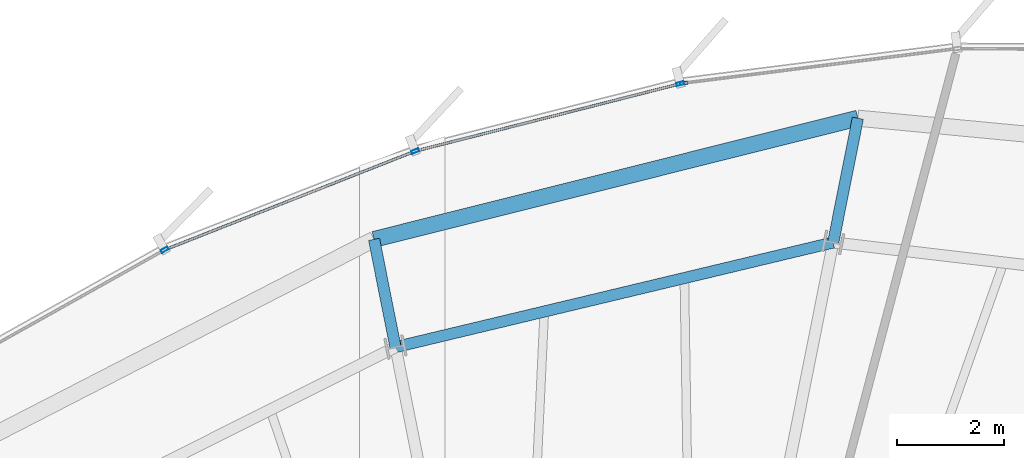
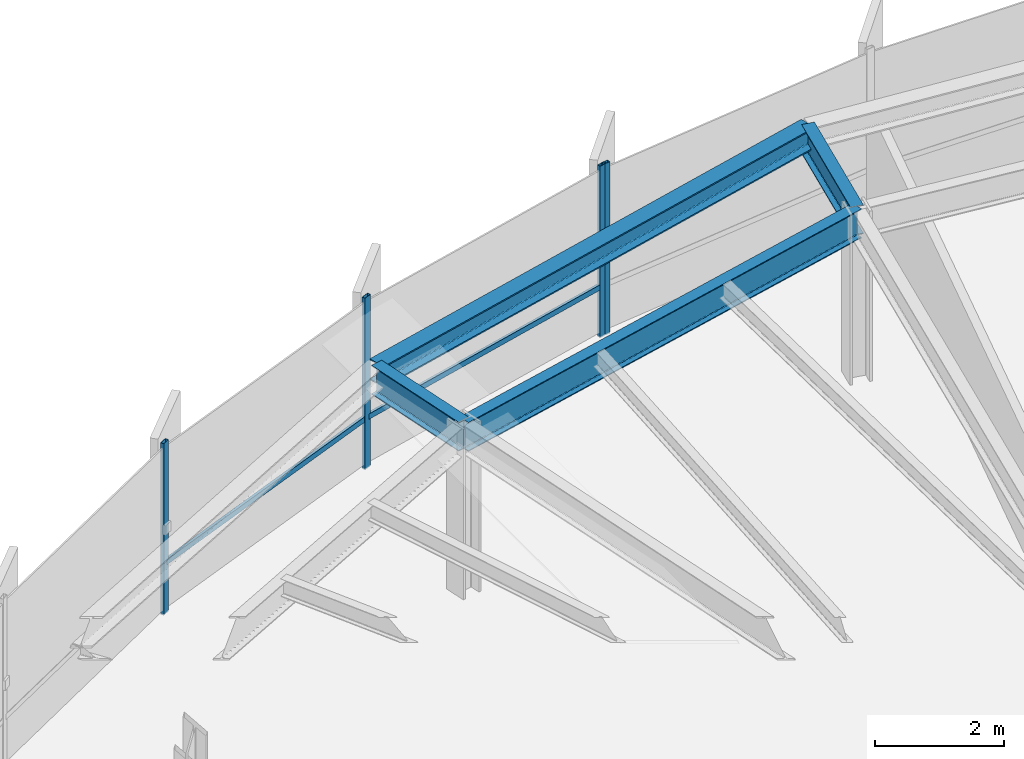
# One storey, part 22 of 35: 6 members, 4 beams, 2 elements without a shape of their own.
"""IFC4 building model written with IfcOpenShell, lengths in metres."""

from ifc_helpers import new_model, si_unit, direction, frame, origin, origin_2d, place, context, subcontext, project, spatial, hollow_rectangle, i_section, extrude, source, transform, mapped, material, layer, layer_set, material_profile, profile_set, type_object, element, aggregate, save


model = new_model("IFC4")

# Units and contexts
model_context = context("Model", 3, precision=1e-05, world=origin(), true_north=direction((0.0, 1.0)))
body_context = subcontext(model_context, "Body", "Model", "MODEL_VIEW")
ifc_project = project(units=[si_unit("LENGTHUNIT", "METRE"), si_unit("AREAUNIT", "SQUARE_METRE"), si_unit("VOLUMEUNIT", "CUBIC_METRE"), si_unit("PLANEANGLEUNIT", "RADIAN"), si_unit("MASSUNIT", "GRAM", prefix="KILO"), si_unit("THERMODYNAMICTEMPERATUREUNIT", "KELVIN")], contexts=[model_context])

# Site, building, storey
site_placement = place(None, origin())
site = spatial("IfcSite", under=ifc_project, at=site_placement, CompositionType="ELEMENT")
building_placement = place(site_placement, origin())
building = spatial("IfcBuilding", under=site, at=building_placement, Name="Kethvar Cultural Tower", CompositionType="ELEMENT")
storey_placement = place(building_placement, frame((0.0, 0.0, 167.85009765625)))
storey = spatial("IfcBuildingStorey", under=building, at=storey_placement, Name="L43", CompositionType="ELEMENT", Elevation=167.85009765625)

# Beams
ifc_material_1 = material(Name="Steel S355J2", Category="steel")
ifc_material_profile_1 = material_profile(ifc_material_1, i_section(OverallWidth=0.2099609375, OverallDepth=0.550048828125, WebThickness=0.010986328125, FlangeThickness=0.01708984375, FilletRadius=0.02392578125, at=origin_2d()), Name="Steel S355J2 — IPE550")
ifc_profile_set_1 = profile_set([ifc_material_profile_1], Name="Steel S355J2 — IPE550")
beam_type_1 = type_object("IfcBeamType", Name="BM-IPE550", PredefinedType="BEAM", material=ifc_profile_set_1)
shared_shape_1 = source(origin(), body_context, "Body", "SweptSolid", [
    extrude(i_section(OverallWidth=0.2099609375, OverallDepth=0.550048828125, WebThickness=0.010986328125, FlangeThickness=0.01708984375, FilletRadius=0.02392578125, at=origin_2d()), origin(), (0.0, 0.0, 1.0), 8.379150390625),
])
beam_1_placement = place(storey_placement, frame((51.068603515625, 49.25927734375, 2.962890625), z_axis=(-0.972601380857, -0.232479147355, 0.0), x_axis=(0.232479147355, -0.972601380857, 0.0)))
element("IfcBeam", 1, at=beam_1_placement, inside=storey, type_object=beam_type_1, Name="L43 Column Ring Tie Beam CR-04", PredefinedType="BEAM", context=body_context, shape_type="MappedRepresentation", body=[
    mapped(shared_shape_1, transform((0.0, 0.0, 0.0), scale=1.0)),
])
shared_shape_2 = source(origin(), body_context, "Body", "SweptSolid", [
    extrude(i_section(OverallWidth=0.2099609375, OverallDepth=0.550048828125, WebThickness=0.010986328125, FlangeThickness=0.01708984375, FilletRadius=0.02392578125, at=origin_2d()), origin(), (0.0, 0.0, 1.0), 2.359375),
])
beam_2_placement = place(storey_placement, frame((51.068603515625, 49.25927734375, 2.962890625), z_axis=(0.195061313511, 0.980791050108, 0.0), x_axis=(-0.980791050108, 0.195061313511, 0.0)))
element("IfcBeam", 2, at=beam_2_placement, inside=storey, type_object=beam_type_1, Name="L43 Perimeter Cantilever Beam RC-04", PredefinedType="BEAM", context=body_context, shape_type="MappedRepresentation", body=[
    mapped(shared_shape_2, transform((0.0, 0.0, 0.0), scale=1.0)),
])
shared_shape_3 = source(origin(), body_context, "Body", "SweptSolid", [
    extrude(i_section(OverallWidth=0.2099609375, OverallDepth=0.550048828125, WebThickness=0.010986328125, FlangeThickness=0.01708984375, FilletRadius=0.02392578125, at=origin_2d()), origin(), (0.0, 0.0, 1.0), 2.045166015625),
])
beam_3_placement = place(storey_placement, frame((42.9189453125, 47.311279296875, 2.962890625), z_axis=(-0.195060005003, 0.980791310345, 0.0), x_axis=(-0.980791310345, -0.195060005003, 0.0)))
element("IfcBeam", 3, at=beam_3_placement, inside=storey, type_object=beam_type_1, Name="L43 Perimeter Cantilever Beam RC-05", PredefinedType="BEAM", context=body_context, shape_type="MappedRepresentation", body=[
    mapped(shared_shape_3, transform((0.0, 0.0, 0.0), scale=1.0)),
])
ifc_material_profile_2 = material_profile(ifc_material_1, i_section(OverallWidth=0.300048828125, OverallDepth=0.39990234375, WebThickness=0.013427734375, FlangeThickness=0.02392578125, FilletRadius=0.027099609375, at=origin_2d()), Name="Steel S355J2 — HEB400")
ifc_profile_set_2 = profile_set([ifc_material_profile_2], Name="Steel S355J2 — HEB400")
beam_type_2 = type_object("IfcBeamType", Name="BM-SP400", PredefinedType="SPANDREL", material=ifc_profile_set_2)
shared_shape_4 = source(origin(), body_context, "Body", "SweptSolid", [
    extrude(i_section(OverallWidth=0.300048828125, OverallDepth=0.39990234375, WebThickness=0.013427734375, FlangeThickness=0.02392578125, FilletRadius=0.027099609375, at=origin_2d()), origin(), (0.0, 0.0, 1.0), 9.287109375),
])
beam_4_placement = place(storey_placement, frame((51.52880859375, 51.5732421875, 3.037841796875), z_axis=(-0.97004345113, -0.242931477829, 0.0), x_axis=(0.242931477829, -0.97004345113, 0.0)))
element("IfcBeam", 4, at=beam_4_placement, inside=storey, type_object=beam_type_2, Name="L43 Perimeter Spandrel Beam SP-04", PredefinedType="SPANDREL", context=body_context, shape_type="MappedRepresentation", body=[
    mapped(shared_shape_4, transform((0.0, 0.0, 0.0), scale=1.0)),
])

# Curtain wall, member
ifc_material_2 = material(Name="Aluminium 6063-T6", Category="aluminium")
ifc_layer = layer(ifc_material_2, 0.179931640625, Name="Aluminium 6063-T6", Category="aluminium")
ifc_layer_set = layer_set([ifc_layer], Name="Aluminium 6063-T6 (180 mm)")
curtain_wall_type = type_object("IfcCurtainWallType", Name="CW-SYS-04-Z34", PredefinedType="NOTDEFINED", material=ifc_layer_set)
curtain_wall_1_placement = place(storey_placement, origin())
curtain_wall_1 = element("IfcCurtainWall", 5, at=curtain_wall_1_placement, inside=storey, type_object=curtain_wall_type, Name="L43 Curtain Wall Run 01", PredefinedType="NOTDEFINED")
ifc_material_profile_3 = material_profile(ifc_material_2, hollow_rectangle(XDim=0.06005859375, YDim=0.139892578125, WallThickness=0.0048828125, at=origin_2d()), Name="Aluminium 6063-T6 — RHS140x60x5")
ifc_profile_set_3 = profile_set([ifc_material_profile_3], Name="Aluminium 6063-T6 — RHS140x60x5")
member_type_1 = type_object("IfcMemberType", Name="CW-SYS-04-Z34-MUL", PredefinedType="MULLION", material=ifc_profile_set_3)
shared_shape_5 = source(origin(), body_context, "Body", "SweptSolid", [
    extrude(hollow_rectangle(XDim=0.06005859375, YDim=0.139892578125, WallThickness=0.0048828125, at=origin_2d()), origin(), (0.0, 0.0, 1.0), 3.239990234375),
])
member_1_placement = place(storey_placement, frame((48.28369140625, 52.226806640625, 0.0), z_axis=(0.0, 0.0, 1.0), x_axis=(0.125246654747, -0.992125634925, 0.0)))
member_1 = element("IfcMember", 6, at=member_1_placement, type_object=member_type_1, Name="CW-L43-R01 Mullion 7", PredefinedType="MULLION", context=body_context, shape_type="MappedRepresentation", body=[
    mapped(shared_shape_5, transform((0.0, 0.0, 0.0), scale=1.0)),
])
aggregate(curtain_wall_1, [member_1])

# Curtain wall, members
curtain_wall_2_placement = place(storey_placement, origin())
curtain_wall_2 = element("IfcCurtainWall", 7, at=curtain_wall_2_placement, inside=storey, type_object=curtain_wall_type, Name="L43 Curtain Wall Run 02", PredefinedType="NOTDEFINED")
member_2_placement = place(storey_placement, frame((48.220703125, 52.21484375, 0.0), z_axis=(0.0, 0.0, 1.0), x_axis=(0.246593090705, -0.969119109097, 0.0)))
member_2 = element("IfcMember", 8, at=member_2_placement, type_object=member_type_1, Name="CW-L43-R02 Mullion 1", PredefinedType="MULLION", context=body_context, shape_type="MappedRepresentation", body=[
    mapped(shared_shape_5, transform((0.0, 0.0, 0.0), scale=1.0)),
])
member_3_placement = place(storey_placement, frame((43.284912109375, 50.9599609375, 0.0), z_axis=(0.0, 0.0, 1.0), x_axis=(0.366696084884, -0.930340787739, 0.0)))
member_3 = element("IfcMember", 9, at=member_3_placement, type_object=member_type_1, Name="CW-L43-R02 Mullion 2", PredefinedType="MULLION", context=body_context, shape_type="MappedRepresentation", body=[
    mapped(shared_shape_5, transform((0.0, 0.0, 0.0), scale=1.0)),
])
member_4_placement = place(storey_placement, frame((38.62060546875, 49.12255859375, 0.0), z_axis=(0.0, 0.0, 1.0), x_axis=(0.488545099996, -0.872538643998, 0.0)))
member_4 = element("IfcMember", 10, at=member_4_placement, type_object=member_type_1, Name="CW-L43-R02 Mullion 3", PredefinedType="MULLION", context=body_context, shape_type="MappedRepresentation", body=[
    mapped(shared_shape_5, transform((0.0, 0.0, 0.0), scale=1.0)),
])
ifc_material_profile_4 = material_profile(ifc_material_2, hollow_rectangle(XDim=0.050048828125, YDim=0.10009765625, WallThickness=0.00390625, at=origin_2d()), Name="Aluminium 6063-T6 — RHS100x50x4")
ifc_profile_set_4 = profile_set([ifc_material_profile_4], Name="Aluminium 6063-T6 — RHS100x50x4")
member_type_2 = type_object("IfcMemberType", Name="CW-SYS-04-Z34-TRN", PredefinedType="USERDEFINED", material=ifc_profile_set_4)
shared_shape_6 = source(origin(), body_context, "Body", "SweptSolid", [
    extrude(hollow_rectangle(XDim=0.050048828125, YDim=0.10009765625, WallThickness=0.00390625, at=origin_2d()), origin(), (0.0, 0.0, 1.0), 5.05908203125),
])
member_5_placement = place(storey_placement, frame((48.216552734375, 52.2138671875, 0.949951171875), z_axis=(-0.969117726291, -0.246598525114, 0.0), x_axis=(0.246598525114, -0.969117726291, 0.0)))
member_5 = element("IfcMember", 11, at=member_5_placement, type_object=member_type_2, Name="CW-L43-R02 Transom 1", ObjectType="TRANSOM", PredefinedType="USERDEFINED", context=body_context, shape_type="MappedRepresentation", body=[
    mapped(shared_shape_6, transform((0.0, 0.0, 0.0), scale=1.0)),
])
shared_shape_7 = source(origin(), body_context, "Body", "SweptSolid", [
    extrude(hollow_rectangle(XDim=0.050048828125, YDim=0.10009765625, WallThickness=0.00390625, at=origin_2d()), origin(), (0.0, 0.0, 1.0), 4.941650390625),
])
member_6_placement = place(storey_placement, frame((43.244873046875, 50.944091796875, 0.949951171875), z_axis=(-0.930345582184, -0.366683920714, 0.0), x_axis=(0.366683920714, -0.930345582184, 0.0)))
member_6 = element("IfcMember", 12, at=member_6_placement, type_object=member_type_2, Name="CW-L43-R02 Transom 2", ObjectType="TRANSOM", PredefinedType="USERDEFINED", context=body_context, shape_type="MappedRepresentation", body=[
    mapped(shared_shape_7, transform((0.0, 0.0, 0.0), scale=1.0)),
])
aggregate(curtain_wall_2, [member_2, member_3, member_4, member_5, member_6])

save(model, "model.ifc")
